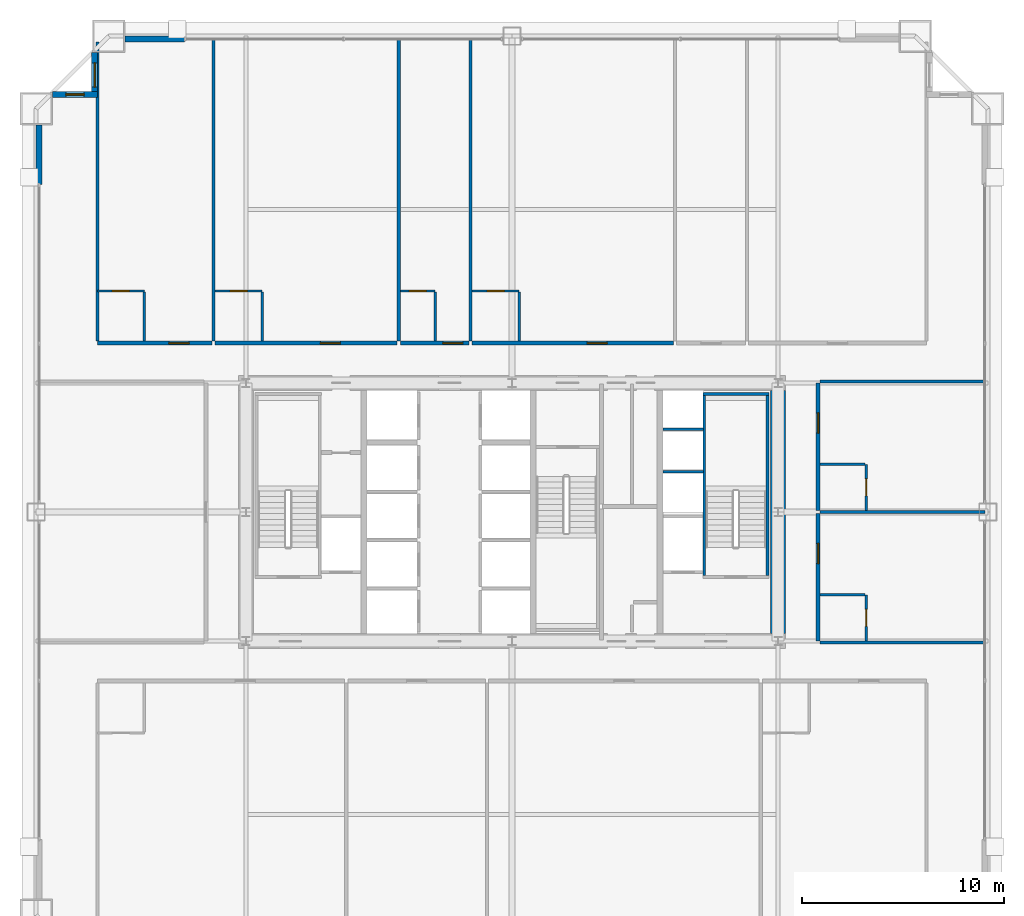
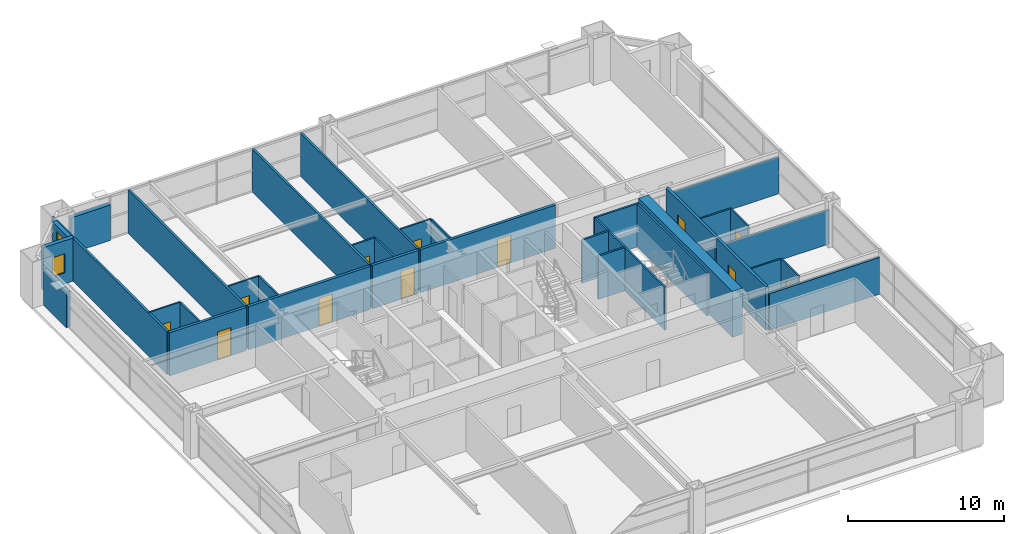
# One storey, part 36 of 38: 35 walls, 12 doors, 2 windows, 14 openings.
"""IFC4 building model written with IfcOpenShell, lengths in metres."""

from ifc_helpers import new_model, si_unit, direction, frame, frame_2d, origin, place, context, subcontext, project, spatial, rectangle, extrude, source, transform, mapped, material, layer, layer_set, type_object, element, fill, save


model = new_model("IFC4")

# Units and contexts
model_context = context("Model", 3, precision=1e-05, world=origin(), true_north=direction((0.0, 1.0)))
body_context = subcontext(model_context, "Body", "Model", "MODEL_VIEW")
ifc_project = project(units=[si_unit("LENGTHUNIT", "METRE"), si_unit("AREAUNIT", "SQUARE_METRE"), si_unit("VOLUMEUNIT", "CUBIC_METRE"), si_unit("PLANEANGLEUNIT", "RADIAN"), si_unit("MASSUNIT", "GRAM", prefix="KILO"), si_unit("THERMODYNAMICTEMPERATUREUNIT", "KELVIN"), si_unit("POWERUNIT", "WATT")], contexts=[model_context])

# Site, building, storey
site_placement = place(None, origin())
site = spatial("IfcSite", under=ifc_project, at=site_placement, CompositionType="ELEMENT")
building_placement = place(site_placement, origin())
building = spatial("IfcBuilding", under=site, at=building_placement, Name="Yuzanri Waterfront Tower", CompositionType="ELEMENT")
storey_placement = place(building_placement, frame((0.0, 0.0, 111.800048828125)))
storey = spatial("IfcBuildingStorey", under=building, at=storey_placement, Name="L29", CompositionType="ELEMENT", Elevation=111.800048828125)

# Wall, opening, door
ifc_material_1 = material(Name="Moisture-Resistant Gypsum Stud Wall", Category="gypsum")
ifc_layer_1 = layer(ifc_material_1, 0.1201171875)
ifc_layer_set_1 = layer_set([ifc_layer_1], Name="Moisture-Resistant Gypsum Stud Wall")
wall_type_1 = type_object("IfcWallType", Name="Bathroom and Kitchen Wet Partition 120", PredefinedType="PARTITIONING", material=ifc_layer_set_1)
wall_1_placement = place(storey_placement, frame((16.43994140625, 36.760009765625, 0.0), z_axis=(0.0, 0.0, 1.0), x_axis=(1.0, 0.0, 0.0)))
wall_1 = element("IfcWall", 1, at=wall_1_placement, inside=storey, type_object=wall_type_1, Name="L29 Partition UW-L29-N1-BN", PredefinedType="PARTITIONING", context=body_context, shape_type="SweptSolid", body=[
    extrude(rectangle(XDim=2.330078125, YDim=0.1201171875, at=frame_2d((1.1650390625, 0.0))), origin(), (0.0, 0.0, 1.0), 3.3798828125),
])
opening_1_placement = place(wall_1_placement, frame((0.739990234375, 0.0, 0.0)))
opening_1 = element("IfcOpeningElement", 2, at=opening_1_placement, cuts=wall_1, Name="Opening ID-0850", PredefinedType="OPENING", context=body_context, shape_type="SweptSolid", body=[
    extrude(rectangle(XDim=0.85009765625, YDim=2.10009765625, at=frame_2d((0.425048828125, 1.050048828125))), frame((0.0, 0.074951171875, 0.0), z_axis=(0.0, -1.0, 0.0), x_axis=(1.0, 0.0, 0.0)), (0.0, 0.0, 1.0), 0.14990234375),
])
ifc_material_2 = material(Name="Moisture-Resistant Lacquered Timber", Category="wood")
door_type_1 = type_object("IfcDoorType", Name="En-Suite Bathroom and Kitchen Swing Door 850x2100", OperationType="NOTDEFINED", PredefinedType="DOOR", material=ifc_material_2)
shared_shape_1 = source(origin(), body_context, "Body", "SweptSolid", [
    extrude(rectangle(XDim=0.85009765625, YDim=2.10009765625, at=frame_2d((0.425048828125, 1.050048828125))), frame((0.0, 0.02490234375, 0.0), z_axis=(0.0, -1.0, 0.0), x_axis=(1.0, 0.0, 0.0)), (0.0, 0.0, 1.0), 0.050048828125),
])
door_1_placement = place(opening_1_placement, origin())
door_1 = element("IfcDoor", 3, at=door_1_placement, inside=storey, type_object=door_type_1, Name="L29 Guest En-Suite Door", OperationType="SINGLE_SWING_LEFT", OverallHeight=2.10009765625, OverallWidth=0.85009765625, PredefinedType="DOOR", context=body_context, shape_type="MappedRepresentation", body=[
    mapped(shared_shape_1, transform((0.0, 0.0, 0.0), scale=1.0)),
])
fill(opening_1, door_1)

wall_2_placement = place(storey_placement, frame((22.277099609375, 36.760009765625, 0.0), z_axis=(0.0, 0.0, 1.0), x_axis=(1.0, 0.0, 0.0)))
wall_2 = element("IfcWall", 4, at=wall_2_placement, inside=storey, type_object=wall_type_1, Name="L29 Partition UW-L29-N2-BN", PredefinedType="PARTITIONING", context=body_context, shape_type="SweptSolid", body=[
    extrude(rectangle(XDim=2.329833984375, YDim=0.1201171875, at=frame_2d((1.1650390625, 0.0))), origin(), (0.0, 0.0, 1.0), 3.3798828125),
])
opening_2_placement = place(wall_2_placement, frame((0.739990234375, 0.0, 0.0)))
opening_2 = element("IfcOpeningElement", 5, at=opening_2_placement, cuts=wall_2, Name="Opening ID-0850", PredefinedType="OPENING", context=body_context, shape_type="SweptSolid", body=[
    extrude(rectangle(XDim=0.85009765625, YDim=2.10009765625, at=frame_2d((0.425048828125, 1.050048828125))), frame((0.0, 0.074951171875, 0.0), z_axis=(0.0, -1.0, 0.0), x_axis=(1.0, 0.0, 0.0)), (0.0, 0.0, 1.0), 0.14990234375),
])
door_2_placement = place(opening_2_placement, origin())
door_2 = element("IfcDoor", 6, at=door_2_placement, inside=storey, type_object=door_type_1, Name="L29 Guest En-Suite Door", OperationType="SINGLE_SWING_LEFT", OverallHeight=2.10009765625, OverallWidth=0.85009765625, PredefinedType="DOOR", context=body_context, shape_type="MappedRepresentation", body=[
    mapped(shared_shape_1, transform((0.0, 0.0, 0.0), scale=1.0)),
])
fill(opening_2, door_2)

wall_3_placement = place(storey_placement, frame((31.4599609375, 36.760009765625, 0.0), z_axis=(0.0, 0.0, 1.0), x_axis=(1.0, 0.0, 0.0)))
wall_3 = element("IfcWall", 7, at=wall_3_placement, inside=storey, type_object=wall_type_1, Name="L29 Partition UW-L29-N3-BN", PredefinedType="PARTITIONING", context=body_context, shape_type="SweptSolid", body=[
    extrude(rectangle(XDim=1.72998046875, YDim=0.1201171875, at=frame_2d((0.864990234375, 0.0))), origin(), (0.0, 0.0, 1.0), 3.3798828125),
])
opening_3_placement = place(wall_3_placement, frame((0.43994140625, 0.0, 0.0)))
opening_3 = element("IfcOpeningElement", 8, at=opening_3_placement, cuts=wall_3, Name="Opening ID-0850", PredefinedType="OPENING", context=body_context, shape_type="SweptSolid", body=[
    extrude(rectangle(XDim=0.85009765625, YDim=2.10009765625, at=frame_2d((0.425048828125, 1.050048828125))), frame((0.0, 0.074951171875, 0.0), z_axis=(0.0, -1.0, 0.0), x_axis=(1.0, 0.0, 0.0)), (0.0, 0.0, 1.0), 0.14990234375),
])
door_3_placement = place(opening_3_placement, origin())
door_3 = element("IfcDoor", 9, at=door_3_placement, inside=storey, type_object=door_type_1, Name="L29 Guest En-Suite Door", OperationType="SINGLE_SWING_LEFT", OverallHeight=2.10009765625, OverallWidth=0.85009765625, PredefinedType="DOOR", context=body_context, shape_type="MappedRepresentation", body=[
    mapped(shared_shape_1, transform((0.0, 0.0, 0.0), scale=1.0)),
])
fill(opening_3, door_3)

wall_4_placement = place(storey_placement, frame((35.02392578125, 36.760009765625, 0.0), z_axis=(0.0, 0.0, 1.0), x_axis=(1.0, 0.0, 0.0)))
wall_4 = element("IfcWall", 10, at=wall_4_placement, inside=storey, type_object=wall_type_1, Name="L29 Partition UW-L29-N4-BN", PredefinedType="PARTITIONING", context=body_context, shape_type="SweptSolid", body=[
    extrude(rectangle(XDim=2.330078125, YDim=0.1201171875, at=frame_2d((1.1650390625, 0.0))), origin(), (0.0, 0.0, 1.0), 3.3798828125),
])
opening_4_placement = place(wall_4_placement, frame((0.739990234375, 0.0, 0.0)))
opening_4 = element("IfcOpeningElement", 11, at=opening_4_placement, cuts=wall_4, Name="Opening ID-0850", PredefinedType="OPENING", context=body_context, shape_type="SweptSolid", body=[
    extrude(rectangle(XDim=0.85009765625, YDim=2.10009765625, at=frame_2d((0.425048828125, 1.050048828125))), frame((0.0, 0.074951171875, 0.0), z_axis=(0.0, -1.0, 0.0), x_axis=(1.0, 0.0, 0.0)), (0.0, 0.0, 1.0), 0.14990234375),
])
door_4_placement = place(opening_4_placement, origin())
door_4 = element("IfcDoor", 12, at=door_4_placement, inside=storey, type_object=door_type_1, Name="L29 Guest En-Suite Door", OperationType="SINGLE_SWING_LEFT", OverallHeight=2.10009765625, OverallWidth=0.85009765625, PredefinedType="DOOR", context=body_context, shape_type="MappedRepresentation", body=[
    mapped(shared_shape_1, transform((0.0, 0.0, 0.0), scale=1.0)),
])
fill(opening_4, door_4)

wall_5_placement = place(storey_placement, frame((54.56005859375, 19.409912109375, 0.0), z_axis=(0.0, 0.0, 1.0), x_axis=(0.0, 1.0, 0.0)))
wall_5 = element("IfcWall", 13, at=wall_5_placement, inside=storey, type_object=wall_type_1, Name="L29 Partition UW-L29-E1-BE2", PredefinedType="PARTITIONING", context=body_context, shape_type="SweptSolid", body=[
    extrude(rectangle(XDim=2.280029296875, YDim=0.1201171875, at=frame_2d((1.14013671875, 0.0))), origin(), (0.0, 0.0, 1.0), 3.3798828125),
])
opening_5_placement = place(wall_5_placement, frame((0.715087890625, 0.0, 0.0)))
opening_5 = element("IfcOpeningElement", 14, at=opening_5_placement, cuts=wall_5, Name="Opening ID-0850", PredefinedType="OPENING", context=body_context, shape_type="SweptSolid", body=[
    extrude(rectangle(XDim=0.85009765625, YDim=2.10009765625, at=frame_2d((0.425048828125, 1.050048828125))), frame((0.0, 0.074951171875, 0.0), z_axis=(0.0, -1.0, 0.0), x_axis=(1.0, 0.0, 0.0)), (0.0, 0.0, 1.0), 0.14990234375),
])
door_5_placement = place(opening_5_placement, origin())
door_5 = element("IfcDoor", 15, at=door_5_placement, inside=storey, type_object=door_type_1, Name="L29 Guest En-Suite Door", OperationType="SINGLE_SWING_RIGHT", OverallHeight=2.10009765625, OverallWidth=0.85009765625, PredefinedType="DOOR", context=body_context, shape_type="MappedRepresentation", body=[
    mapped(shared_shape_1, transform((0.0, 0.0, 0.0), scale=1.0)),
])
fill(opening_5, door_5)

wall_6_placement = place(storey_placement, frame((54.56005859375, 25.8798828125, 0.0), z_axis=(0.0, 0.0, 1.0), x_axis=(0.0, 1.0, 0.0)))
wall_6 = element("IfcWall", 16, at=wall_6_placement, inside=storey, type_object=wall_type_1, Name="L29 Partition UW-L29-E2-BE2", PredefinedType="PARTITIONING", context=body_context, shape_type="SweptSolid", body=[
    extrude(rectangle(XDim=2.280029296875, YDim=0.1201171875, at=frame_2d((1.14013671875, 0.0))), origin(), (0.0, 0.0, 1.0), 3.3798828125),
])
opening_6_placement = place(wall_6_placement, frame((0.715087890625, 0.0, 0.0)))
opening_6 = element("IfcOpeningElement", 17, at=opening_6_placement, cuts=wall_6, Name="Opening ID-0850", PredefinedType="OPENING", context=body_context, shape_type="SweptSolid", body=[
    extrude(rectangle(XDim=0.85009765625, YDim=2.10009765625, at=frame_2d((0.425048828125, 1.050048828125))), frame((0.0, 0.074951171875, 0.0), z_axis=(0.0, -1.0, 0.0), x_axis=(1.0, 0.0, 0.0)), (0.0, 0.0, 1.0), 0.14990234375),
])
door_6_placement = place(opening_6_placement, origin())
door_6 = element("IfcDoor", 18, at=door_6_placement, inside=storey, type_object=door_type_1, Name="L29 Guest En-Suite Door", OperationType="SINGLE_SWING_RIGHT", OverallHeight=2.10009765625, OverallWidth=0.85009765625, PredefinedType="DOOR", context=body_context, shape_type="MappedRepresentation", body=[
    mapped(shared_shape_1, transform((0.0, 0.0, 0.0), scale=1.0)),
])
fill(opening_6, door_6)

# Wall, opening, window
ifc_material_3 = material(Name="Honed Chongqing Dark Basalt Stone", Category="masonry")
ifc_layer_2 = layer(ifc_material_3, 0.300048828125)
ifc_layer_set_2 = layer_set([ifc_layer_2], Name="Honed Chongqing Dark Basalt Stone")
wall_type_2 = type_object("IfcWallType", Name="Bronze Rainscreen Insulated Spandrel Portal Wall 300", PredefinedType="SOLIDWALL", material=ifc_layer_set_2)
wall_7_placement = place(storey_placement, frame((16.449951171875, 46.5, 0.0), z_axis=(0.0, 0.0, 1.0), x_axis=(-1.0, 0.0, 0.0)))
wall_7 = element("IfcWall", 19, at=wall_7_placement, inside=storey, type_object=wall_type_2, Name="L29 Notched Corner Masonry Wall NW-X", PredefinedType="SOLIDWALL", context=body_context, shape_type="SweptSolid", body=[
    extrude(rectangle(XDim=2.25, YDim=0.300048828125, at=frame_2d((1.125, 0.0))), origin(), (0.0, 0.0, 1.0), 3.3798828125),
])
opening_7_placement = place(wall_7_placement, frame((0.675048828125, 0.0, 0.85009765625)))
opening_7 = element("IfcOpeningElement", 20, at=opening_7_placement, cuts=wall_7, Name="Opening WN-05", PredefinedType="OPENING", context=body_context, shape_type="SweptSolid", body=[
    extrude(rectangle(XDim=0.89990234375, YDim=1.5, at=frame_2d((0.449951171875, 0.75))), frame((0.0, 0.1650390625, 0.0), z_axis=(0.0, -1.0, 0.0), x_axis=(1.0, 0.0, 0.0)), (0.0, 0.0, 1.0), 0.329833984375),
])
ifc_material_4 = material(Name="Double-Silver Low-E Insulated Glass", Category="glass")
window_type_1 = type_object("IfcWindowType", Name="Anodized Bronze Service and Stairwell Smoke-Vent Window 900x1500", PartitioningType="SINGLE_PANEL", PredefinedType="WINDOW", material=ifc_material_4)
shared_shape_2 = source(origin(), body_context, "Body", "SweptSolid", [
    extrude(rectangle(XDim=0.89990234375, YDim=1.5, at=frame_2d((0.449951171875, 0.75))), frame((0.0, 0.030029296875, 0.0), z_axis=(0.0, -1.0, 0.0), x_axis=(1.0, 0.0, 0.0)), (0.0, 0.0, 1.0), 0.06005859375),
])
window_1_placement = place(opening_7_placement, origin())
window_1 = element("IfcWindow", 21, at=window_1_placement, inside=storey, type_object=window_type_1, Name="L29 Notched Corner Window NW-X", OverallHeight=1.5, OverallWidth=0.89990234375, PartitioningType="SINGLE_PANEL", PredefinedType="WINDOW", context=body_context, shape_type="MappedRepresentation", body=[
    mapped(shared_shape_2, transform((0.0, 0.0, 0.0), scale=1.0)),
])
fill(opening_7, window_1)

wall_8_placement = place(storey_placement, frame((16.300048828125, 48.60009765625, 0.0), z_axis=(0.0, 0.0, 1.0), x_axis=(0.0, -1.0, 0.0)))
wall_8 = element("IfcWall", 22, at=wall_8_placement, inside=storey, type_object=wall_type_2, Name="L29 Notched Corner Masonry Wall NW-Y", PredefinedType="SOLIDWALL", context=body_context, shape_type="SweptSolid", body=[
    extrude(rectangle(XDim=2.25, YDim=0.300048828125, at=frame_2d((1.125, 0.0))), origin(), (0.0, 0.0, 1.0), 3.3798828125),
])
opening_8_placement = place(wall_8_placement, frame((0.52490234375, 0.0, 0.85009765625)))
opening_8 = element("IfcOpeningElement", 23, at=opening_8_placement, cuts=wall_8, Name="Opening WN-02", PredefinedType="OPENING", context=body_context, shape_type="SweptSolid", body=[
    extrude(rectangle(XDim=1.199951171875, YDim=2.10009765625, at=frame_2d((0.60009765625, 1.050048828125))), frame((0.0, 0.1650390625, 0.0), z_axis=(0.0, -1.0, 0.0), x_axis=(1.0, 0.0, 0.0)), (0.0, 0.0, 1.0), 0.329833984375),
])
ifc_material_5 = material(Name="Double-Silver Low-E Insulated Glass", Category="glass")
window_type_2 = type_object("IfcWindowType", Name="Anodized Bronze Notched Corner Deep-Set Slot Window 1200x2100", PartitioningType="SINGLE_PANEL", PredefinedType="WINDOW", material=ifc_material_5)
shared_shape_3 = source(origin(), body_context, "Body", "SweptSolid", [
    extrude(rectangle(XDim=1.199951171875, YDim=2.10009765625, at=frame_2d((0.60009765625, 1.050048828125))), frame((0.0, 0.030029296875, 0.0), z_axis=(0.0, -1.0, 0.0), x_axis=(1.0, 0.0, 0.0)), (0.0, 0.0, 1.0), 0.06005859375),
])
window_2_placement = place(opening_8_placement, origin())
window_2 = element("IfcWindow", 24, at=window_2_placement, inside=storey, type_object=window_type_2, Name="L29 Notched Corner Window NW-Y", OverallHeight=2.10009765625, OverallWidth=1.199951171875, PartitioningType="SINGLE_PANEL", PredefinedType="WINDOW", context=body_context, shape_type="MappedRepresentation", body=[
    mapped(shared_shape_3, transform((0.0, 0.0, 0.0), scale=1.0)),
])
fill(opening_8, window_2)

# Wall, opening, door
ifc_material_6 = material(Name="Autoclaved Aerated Concrete Blockwork", Category="masonry")
ifc_layer_3 = layer(ifc_material_6, 0.199951171875)
ifc_layer_set_3 = layer_set([ifc_layer_3], Name="Autoclaved Aerated Concrete Blockwork")
wall_type_3 = type_object("IfcWallType", Name="Corridor and Unit Party Fire Wall 200", PredefinedType="PARTITIONING", material=ifc_layer_set_3)
wall_9_placement = place(storey_placement, frame((16.43994140625, 34.179931640625, 0.0), z_axis=(0.0, 0.0, 1.0), x_axis=(1.0, 0.0, 0.0)))
wall_9 = element("IfcWall", 25, at=wall_9_placement, inside=storey, type_object=wall_type_3, Name="L29 Partition UW-L29-N1-CS", PredefinedType="PARTITIONING", context=body_context, shape_type="SweptSolid", body=[
    extrude(rectangle(XDim=5.677001953125, YDim=0.199951171875, at=frame_2d((2.83837890625, 0.0))), origin(), (0.0, 0.0, 1.0), 3.3798828125),
])
opening_9_placement = place(wall_9_placement, frame((3.54296875, 0.0, 0.0)))
opening_9 = element("IfcOpeningElement", 26, at=opening_9_placement, cuts=wall_9, Name="Opening FD-1000", PredefinedType="OPENING", context=body_context, shape_type="SweptSolid", body=[
    extrude(rectangle(XDim=1.0, YDim=2.199951171875, at=frame_2d((0.5, 1.10009765625))), frame((0.0, 0.11474609375, 0.0), z_axis=(0.0, -1.0, 0.0), x_axis=(1.0, 0.0, 0.0)), (0.0, 0.0, 1.0), 0.229736328125),
])
ifc_material_7 = material(Name="Engineered Oak Fire-Rated Timber", Category="wood")
door_type_2 = type_object("IfcDoorType", Name="Guestroom and Apartment Entrance Fire Door 1000x2200", OperationType="NOTDEFINED", PredefinedType="DOOR", material=ifc_material_7)
shared_shape_4 = source(origin(), body_context, "Body", "SweptSolid", [
    extrude(rectangle(XDim=1.0, YDim=2.199951171875, at=frame_2d((0.5, 1.10009765625))), frame((0.0, 0.02490234375, 0.0), z_axis=(0.0, -1.0, 0.0), x_axis=(1.0, 0.0, 0.0)), (0.0, 0.0, 1.0), 0.050048828125),
])
door_7_placement = place(opening_9_placement, origin())
door_7 = element("IfcDoor", 27, at=door_7_placement, inside=storey, type_object=door_type_2, Name="L29 Executive Suite Entrance Door", OperationType="SINGLE_SWING_RIGHT", OverallHeight=2.199951171875, OverallWidth=1.0, PredefinedType="DOOR", context=body_context, shape_type="MappedRepresentation", body=[
    mapped(shared_shape_4, transform((0.0, 0.0, 0.0), scale=1.0)),
])
fill(opening_9, door_7)

wall_10_placement = place(storey_placement, frame((22.277099609375, 34.179931640625, 0.0), z_axis=(0.0, 0.0, 1.0), x_axis=(1.0, 0.0, 0.0)))
wall_10 = element("IfcWall", 28, at=wall_10_placement, inside=storey, type_object=wall_type_3, Name="L29 Partition UW-L29-N2-CS", PredefinedType="PARTITIONING", context=body_context, shape_type="SweptSolid", body=[
    extrude(rectangle(XDim=9.02294921875, YDim=0.199951171875, at=frame_2d((4.511474609375, 0.0))), origin(), (0.0, 0.0, 1.0), 3.3798828125),
])
opening_10_placement = place(wall_10_placement, frame((5.217041015625, 0.0, 0.0)))
opening_10 = element("IfcOpeningElement", 29, at=opening_10_placement, cuts=wall_10, Name="Opening FD-1000", PredefinedType="OPENING", context=body_context, shape_type="SweptSolid", body=[
    extrude(rectangle(XDim=1.0, YDim=2.199951171875, at=frame_2d((0.5, 1.10009765625))), frame((0.0, 0.11474609375, 0.0), z_axis=(0.0, -1.0, 0.0), x_axis=(1.0, 0.0, 0.0)), (0.0, 0.0, 1.0), 0.229736328125),
])
door_8_placement = place(opening_10_placement, origin())
door_8 = element("IfcDoor", 30, at=door_8_placement, inside=storey, type_object=door_type_2, Name="L29 Executive Suite Entrance Door", OperationType="SINGLE_SWING_RIGHT", OverallHeight=2.199951171875, OverallWidth=1.0, PredefinedType="DOOR", context=body_context, shape_type="MappedRepresentation", body=[
    mapped(shared_shape_4, transform((0.0, 0.0, 0.0), scale=1.0)),
])
fill(opening_10, door_8)

wall_11_placement = place(storey_placement, frame((31.4599609375, 34.179931640625, 0.0), z_axis=(0.0, 0.0, 1.0), x_axis=(1.0, 0.0, 0.0)))
wall_11 = element("IfcWall", 31, at=wall_11_placement, inside=storey, type_object=wall_type_3, Name="L29 Partition UW-L29-N3-CS", PredefinedType="PARTITIONING", context=body_context, shape_type="SweptSolid", body=[
    extrude(rectangle(XDim=3.404052734375, YDim=0.199951171875, at=frame_2d((1.7021484375, 0.0))), origin(), (0.0, 0.0, 1.0), 3.3798828125),
])
opening_11_placement = place(wall_11_placement, frame((2.10693359375, 0.0, 0.0)))
opening_11 = element("IfcOpeningElement", 32, at=opening_11_placement, cuts=wall_11, Name="Opening FD-1000", PredefinedType="OPENING", context=body_context, shape_type="SweptSolid", body=[
    extrude(rectangle(XDim=1.0, YDim=2.199951171875, at=frame_2d((0.5, 1.10009765625))), frame((0.0, 0.11474609375, 0.0), z_axis=(0.0, -1.0, 0.0), x_axis=(1.0, 0.0, 0.0)), (0.0, 0.0, 1.0), 0.229736328125),
])
door_9_placement = place(opening_11_placement, origin())
door_9 = element("IfcDoor", 33, at=door_9_placement, inside=storey, type_object=door_type_2, Name="L29 Executive Suite Entrance Door", OperationType="SINGLE_SWING_RIGHT", OverallHeight=2.199951171875, OverallWidth=1.0, PredefinedType="DOOR", context=body_context, shape_type="MappedRepresentation", body=[
    mapped(shared_shape_4, transform((0.0, 0.0, 0.0), scale=1.0)),
])
fill(opening_11, door_9)

wall_12_placement = place(storey_placement, frame((35.02392578125, 34.179931640625, 0.0), z_axis=(0.0, 0.0, 1.0), x_axis=(1.0, 0.0, 0.0)))
wall_12 = element("IfcWall", 34, at=wall_12_placement, inside=storey, type_object=wall_type_3, Name="L29 Partition UW-L29-N4-CS", PredefinedType="PARTITIONING", context=body_context, shape_type="SweptSolid", body=[
    extrude(rectangle(XDim=9.983154296875, YDim=0.199951171875, at=frame_2d((4.99169921875, 0.0))), origin(), (0.0, 0.0, 1.0), 3.3798828125),
])
opening_12_placement = place(wall_12_placement, frame((5.697021484375, 0.0, 0.0)))
opening_12 = element("IfcOpeningElement", 35, at=opening_12_placement, cuts=wall_12, Name="Opening FD-1000", PredefinedType="OPENING", context=body_context, shape_type="SweptSolid", body=[
    extrude(rectangle(XDim=1.0, YDim=2.199951171875, at=frame_2d((0.5, 1.10009765625))), frame((0.0, 0.11474609375, 0.0), z_axis=(0.0, -1.0, 0.0), x_axis=(1.0, 0.0, 0.0)), (0.0, 0.0, 1.0), 0.229736328125),
])
door_10_placement = place(opening_12_placement, origin())
door_10 = element("IfcDoor", 36, at=door_10_placement, inside=storey, type_object=door_type_2, Name="L29 Executive Suite Entrance Door", OperationType="SINGLE_SWING_RIGHT", OverallHeight=2.199951171875, OverallWidth=1.0, PredefinedType="DOOR", context=body_context, shape_type="MappedRepresentation", body=[
    mapped(shared_shape_4, transform((0.0, 0.0, 0.0), scale=1.0)),
])
fill(opening_12, door_10)

wall_13_placement = place(storey_placement, frame((52.179931640625, 19.409912109375, 0.0), z_axis=(0.0, 0.0, 1.0), x_axis=(0.0, 1.0, 0.0)))
wall_13 = element("IfcWall", 37, at=wall_13_placement, inside=storey, type_object=wall_type_3, Name="L29 Partition UW-L29-E1-CW", PredefinedType="PARTITIONING", context=body_context, shape_type="SweptSolid", body=[
    extrude(rectangle(XDim=6.31005859375, YDim=0.199951171875, at=frame_2d((3.155029296875, 0.0))), origin(), (0.0, 0.0, 1.0), 3.3798828125),
])
opening_13_placement = place(wall_13_placement, frame((3.8349609375, 0.0, 0.0)))
opening_13 = element("IfcOpeningElement", 38, at=opening_13_placement, cuts=wall_13, Name="Opening FD-1000", PredefinedType="OPENING", context=body_context, shape_type="SweptSolid", body=[
    extrude(rectangle(XDim=1.0, YDim=2.199951171875, at=frame_2d((0.5, 1.10009765625))), frame((0.0, 0.11474609375, 0.0), z_axis=(0.0, -1.0, 0.0), x_axis=(1.0, 0.0, 0.0)), (0.0, 0.0, 1.0), 0.229736328125),
])
door_11_placement = place(opening_13_placement, origin())
door_11 = element("IfcDoor", 39, at=door_11_placement, inside=storey, type_object=door_type_2, Name="L29 East Guest Room Entrance Door", OperationType="SINGLE_SWING_LEFT", OverallHeight=2.199951171875, OverallWidth=1.0, PredefinedType="DOOR", context=body_context, shape_type="MappedRepresentation", body=[
    mapped(shared_shape_4, transform((0.0, 0.0, 0.0), scale=1.0)),
])
fill(opening_13, door_11)

wall_14_placement = place(storey_placement, frame((52.179931640625, 25.8798828125, 0.0), z_axis=(0.0, 0.0, 1.0), x_axis=(0.0, 1.0, 0.0)))
wall_14 = element("IfcWall", 40, at=wall_14_placement, inside=storey, type_object=wall_type_3, Name="L29 Partition UW-L29-E2-CW", PredefinedType="PARTITIONING", context=body_context, shape_type="SweptSolid", body=[
    extrude(rectangle(XDim=6.31005859375, YDim=0.199951171875, at=frame_2d((3.155029296875, 0.0))), origin(), (0.0, 0.0, 1.0), 3.3798828125),
])
opening_14_placement = place(wall_14_placement, frame((3.8349609375, 0.0, 0.0)))
opening_14 = element("IfcOpeningElement", 41, at=opening_14_placement, cuts=wall_14, Name="Opening FD-1000", PredefinedType="OPENING", context=body_context, shape_type="SweptSolid", body=[
    extrude(rectangle(XDim=1.0, YDim=2.199951171875, at=frame_2d((0.5, 1.10009765625))), frame((0.0, 0.11474609375, 0.0), z_axis=(0.0, -1.0, 0.0), x_axis=(1.0, 0.0, 0.0)), (0.0, 0.0, 1.0), 0.229736328125),
])
door_12_placement = place(opening_14_placement, origin())
door_12 = element("IfcDoor", 42, at=door_12_placement, inside=storey, type_object=door_type_2, Name="L29 East Guest Room Entrance Door", OperationType="SINGLE_SWING_LEFT", OverallHeight=2.199951171875, OverallWidth=1.0, PredefinedType="DOOR", context=body_context, shape_type="MappedRepresentation", body=[
    mapped(shared_shape_4, transform((0.0, 0.0, 0.0), scale=1.0)),
])
fill(opening_14, door_12)

# Walls
ifc_material_8 = material(Name="Concrete C55", Category="concrete")
ifc_layer_4 = layer(ifc_material_8, 0.75)
ifc_layer_set_4 = layer_set([ifc_layer_4], Name="Concrete C55")
wall_type_4 = type_object("IfcWallType", Name="Concrete C55 Low-Mid Zone Core Shear Wall 750", PredefinedType="SHEAR", material=ifc_layer_set_4)
shared_shape_5 = source(origin(), body_context, "Body", "SweptSolid", [
    extrude(rectangle(XDim=12.050048828125, YDim=0.75, at=frame_2d((6.02490234375, 0.0))), origin(), (0.0, 0.0, 1.0), 3.599853515625),
])
wall_15_placement = place(storey_placement, frame((50.199951171875, 19.77490234375, 0.0), z_axis=(0.0, 0.0, 1.0), x_axis=(0.0, 1.0, 0.0)))
element("IfcWall", 43, at=wall_15_placement, inside=storey, type_object=wall_type_4, Name="L29 Core East Shear Wall", PredefinedType="SHEAR", context=body_context, shape_type="MappedRepresentation", body=[
    mapped(shared_shape_5, transform((0.0, 0.0, 0.0), scale=1.0)),
])
shared_shape_6 = source(origin(), body_context, "Body", "SweptSolid", [
    extrude(rectangle(XDim=2.949951171875, YDim=0.300048828125, at=frame_2d((1.47509765625, 0.0))), origin(), (0.0, 0.0, 1.0), 2.77490234375),
])
for number, where, z_axis, x_axis, name in (
    (44, (17.800048828125, 49.25, 0.0), (0.0, 0.0, 1.0), (1.0, 0.0, 0.0), "L29 N Left Braced Masonry Shoulder"),
    (45, (13.550048828125, 42.050048828125, 0.0), (0.0, 0.0, 1.0), (0.0, 1.0, 0.0), "L29 W Right Braced Masonry Shoulder"),
):
    element("IfcWall", number, at=place(storey_placement, frame(where, z_axis=z_axis, x_axis=x_axis)), inside=storey, type_object=wall_type_2, Name=name, PredefinedType="SOLIDWALL", context=body_context, shape_type="MappedRepresentation", body=[
        mapped(shared_shape_6, transform((0.0, 0.0, 0.0), scale=1.0)),
    ])
ifc_material_9 = material(Name="Concrete C40", Category="concrete")
ifc_layer_5 = layer(ifc_material_9, 0.139892578125)
ifc_layer_set_5 = layer_set([ifc_layer_5], Name="Concrete C40")
wall_type_5 = type_object("IfcWallType", Name="Core Stair Liner and Hoistway Shaft Wall 140", PredefinedType="SOLIDWALL", material=ifc_layer_set_5)
shared_shape_7 = source(origin(), body_context, "Body", "SweptSolid", [
    extrude(rectangle(XDim=2.0, YDim=0.139892578125, at=frame_2d((1.0, 0.0))), origin(), (0.0, 0.0, 1.0), 3.3798828125),
])
for number, where, z_axis, x_axis, name in (
    (46, (44.5, 27.800048828125, 0.0), (0.0, 0.0, 1.0), (1.0, 0.0, 0.0), "L29 Lift PL-09 Divider Wall"),
    (47, (44.5, 29.89990234375, 0.0), (0.0, 0.0, 1.0), (1.0, 0.0, 0.0), "L29 Lift PL-10 Divider Wall"),
):
    element("IfcWall", number, at=place(storey_placement, frame(where, z_axis=z_axis, x_axis=x_axis)), inside=storey, type_object=wall_type_5, Name=name, PredefinedType="SOLIDWALL", context=body_context, shape_type="MappedRepresentation", body=[
        mapped(shared_shape_7, transform((0.0, 0.0, 0.0), scale=1.0)),
    ])
shared_shape_8 = source(origin(), body_context, "Body", "SweptSolid", [
    extrude(rectangle(XDim=3.280029296875, YDim=0.139892578125, at=frame_2d((1.64013671875, 0.0))), origin(), (0.0, 0.0, 1.0), 3.3798828125),
])
wall_16_placement = place(storey_placement, frame((46.4599609375, 31.64990234375, 0.0), z_axis=(0.0, 0.0, 1.0), x_axis=(1.0, 0.0, 0.0)))
element("IfcWall", 48, at=wall_16_placement, inside=storey, type_object=wall_type_5, Name="L29 Stair ST-02 North Shaft Wall", PredefinedType="SOLIDWALL", context=body_context, shape_type="MappedRepresentation", body=[
    mapped(shared_shape_8, transform((0.0, 0.0, 0.0), scale=1.0)),
])
shared_shape_9 = source(origin(), body_context, "Body", "SweptSolid", [
    extrude(rectangle(XDim=8.940185546875, YDim=0.139892578125, at=frame_2d((4.47021484375, 0.0))), origin(), (0.0, 0.0, 1.0), 3.3798828125),
])
for number, where, z_axis, x_axis, name in (
    (49, (46.530029296875, 22.639892578125, 0.0), (0.0, 0.0, 1.0), (0.0, 1.0, 0.0), "L29 Stair ST-02 West Shaft Wall"),
    (50, (49.669921875, 22.639892578125, 0.0), (0.0, 0.0, 1.0), (0.0, 1.0, 0.0), "L29 Stair ST-02 East Shaft Wall"),
):
    element("IfcWall", number, at=place(storey_placement, frame(where, z_axis=z_axis, x_axis=x_axis)), inside=storey, type_object=wall_type_5, Name=name, PredefinedType="SOLIDWALL", context=body_context, shape_type="MappedRepresentation", body=[
        mapped(shared_shape_9, transform((0.0, 0.0, 0.0), scale=1.0)),
    ])
shared_shape_10 = source(origin(), body_context, "Body", "SweptSolid", [
    extrude(rectangle(XDim=2.419921875, YDim=0.1201171875, at=frame_2d((1.2099609375, 0.0))), origin(), (0.0, 0.0, 1.0), 3.3798828125),
])
for number, where, z_axis, x_axis, name in (
    (51, (18.77001953125, 34.280029296875, 0.0), (0.0, 0.0, 1.0), (0.0, 1.0, 0.0), "L29-N1 En-Suite Side Wall"),
    (52, (24.60693359375, 34.280029296875, 0.0), (0.0, 0.0, 1.0), (0.0, 1.0, 0.0), "L29-N2 En-Suite Side Wall"),
    (53, (33.18994140625, 34.280029296875, 0.0), (0.0, 0.0, 1.0), (0.0, 1.0, 0.0), "L29-N3 En-Suite Side Wall"),
    (54, (37.35400390625, 34.280029296875, 0.0), (0.0, 0.0, 1.0), (0.0, 1.0, 0.0), "L29-N4 En-Suite Side Wall"),
):
    element("IfcWall", number, at=place(storey_placement, frame(where, z_axis=z_axis, x_axis=x_axis)), inside=storey, type_object=wall_type_1, Name=name, PredefinedType="PARTITIONING", context=body_context, shape_type="MappedRepresentation", body=[
        mapped(shared_shape_10, transform((0.0, 0.0, 0.0), scale=1.0)),
    ])
shared_shape_11 = source(origin(), body_context, "Body", "SweptSolid", [
    extrude(rectangle(XDim=2.219970703125, YDim=0.1201171875, at=frame_2d((1.10986328125, 0.0))), origin(), (0.0, 0.0, 1.0), 3.3798828125),
])
for number, where, z_axis, x_axis, name in (
    (55, (52.280029296875, 21.68994140625, 0.0), (0.0, 0.0, 1.0), (1.0, 0.0, 0.0), "L29-E1 En-Suite Top Wall"),
    (56, (52.280029296875, 28.159912109375, 0.0), (0.0, 0.0, 1.0), (1.0, 0.0, 0.0), "L29-E2 En-Suite Top Wall"),
):
    element("IfcWall", number, at=place(storey_placement, frame(where, z_axis=z_axis, x_axis=x_axis)), inside=storey, type_object=wall_type_1, Name=name, PredefinedType="PARTITIONING", context=body_context, shape_type="MappedRepresentation", body=[
        mapped(shared_shape_11, transform((0.0, 0.0, 0.0), scale=1.0)),
    ])
ifc_material_10 = material(Name="Gypsum Fireboard Acoustic Stud Wall", Category="gypsum")
ifc_layer_6 = layer(ifc_material_10, 0.159912109375)
ifc_layer_set_6 = layer_set([ifc_layer_6], Name="Gypsum Fireboard Acoustic Stud Wall")
wall_type_6 = type_object("IfcWallType", Name="Acoustic Suite Demising Partition 160", PredefinedType="PARTITIONING", material=ifc_layer_set_6)
shared_shape_12 = source(origin(), body_context, "Body", "SweptSolid", [
    extrude(rectangle(XDim=8.169921875, YDim=0.159912109375, at=frame_2d((4.0849609375, 0.0))), origin(), (0.0, 0.0, 1.0), 2.675048828125),
])
wall_17_placement = place(storey_placement, frame((52.280029296875, 25.800048828125, 0.0), z_axis=(0.0, 0.0, 1.0), x_axis=(1.0, 0.0, 0.0)))
element("IfcWall", 57, at=wall_17_placement, inside=storey, type_object=wall_type_6, Name="L29-E1 Wing Party Wall", PredefinedType="PARTITIONING", context=body_context, shape_type="MappedRepresentation", body=[
    mapped(shared_shape_12, transform((0.0, 0.0, 0.0), scale=1.0)),
])
shared_shape_13 = source(origin(), body_context, "Body", "SweptSolid", [
    extrude(rectangle(XDim=8.169921875, YDim=0.159912109375, at=frame_2d((4.0849609375, 0.0))), origin(), (0.0, 0.0, 1.0), 2.875),
])
for number, where, z_axis, x_axis, name in (
    (58, (52.280029296875, 19.330078125, 0.0), (0.0, 0.0, 1.0), (1.0, 0.0, 0.0), "L29-E1 Wing South End Wall"),
    (59, (52.280029296875, 32.27001953125, 0.0), (0.0, 0.0, 1.0), (1.0, 0.0, 0.0), "L29-E2 Wing North End Wall"),
):
    element("IfcWall", number, at=place(storey_placement, frame(where, z_axis=z_axis, x_axis=x_axis)), inside=storey, type_object=wall_type_6, Name=name, PredefinedType="PARTITIONING", context=body_context, shape_type="MappedRepresentation", body=[
        mapped(shared_shape_13, transform((0.0, 0.0, 0.0), scale=1.0)),
    ])
shared_shape_14 = source(origin(), body_context, "Body", "SweptSolid", [
    extrude(rectangle(XDim=14.969970703125, YDim=0.159912109375, at=frame_2d((7.48486328125, 0.0))), origin(), (0.0, 0.0, 1.0), 3.3798828125),
])
for number, where, z_axis, x_axis, name in (
    (60, (22.197021484375, 34.280029296875, 0.0), (0.0, 0.0, 1.0), (0.0, 1.0, 0.0), "L29-N1 Party Wall"),
    (61, (31.3798828125, 34.280029296875, 0.0), (0.0, 0.0, 1.0), (0.0, 1.0, 0.0), "L29-N2 Party Wall"),
    (62, (34.944091796875, 34.280029296875, 0.0), (0.0, 0.0, 1.0), (0.0, 1.0, 0.0), "L29-N3 Party Wall"),
):
    element("IfcWall", number, at=place(storey_placement, frame(where, z_axis=z_axis, x_axis=x_axis)), inside=storey, type_object=wall_type_6, Name=name, PredefinedType="PARTITIONING", context=body_context, shape_type="MappedRepresentation", body=[
        mapped(shared_shape_14, transform((0.0, 0.0, 0.0), scale=1.0)),
    ])
shared_shape_15 = source(origin(), body_context, "Body", "SweptSolid", [
    extrude(rectangle(XDim=14.820068359375, YDim=0.159912109375, at=frame_2d((7.41015625, 0.0))), origin(), (0.0, 0.0, 1.0), 3.3798828125),
])
wall_18_placement = place(storey_placement, frame((16.449951171875, 34.280029296875, 0.0), z_axis=(0.0, 0.0, 1.0), x_axis=(0.0, 1.0, 0.0)))
element("IfcWall", 63, at=wall_18_placement, inside=storey, type_object=wall_type_6, Name="L29 North Band West End Wall", PredefinedType="PARTITIONING", context=body_context, shape_type="MappedRepresentation", body=[
    mapped(shared_shape_15, transform((0.0, 0.0, 0.0), scale=1.0)),
])

save(model, "model.ifc")
